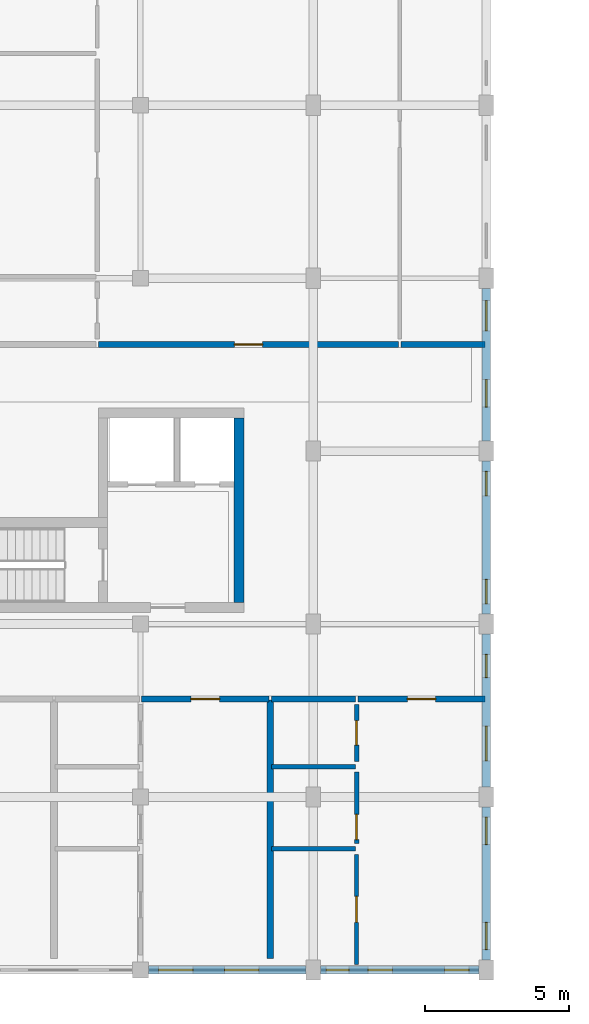
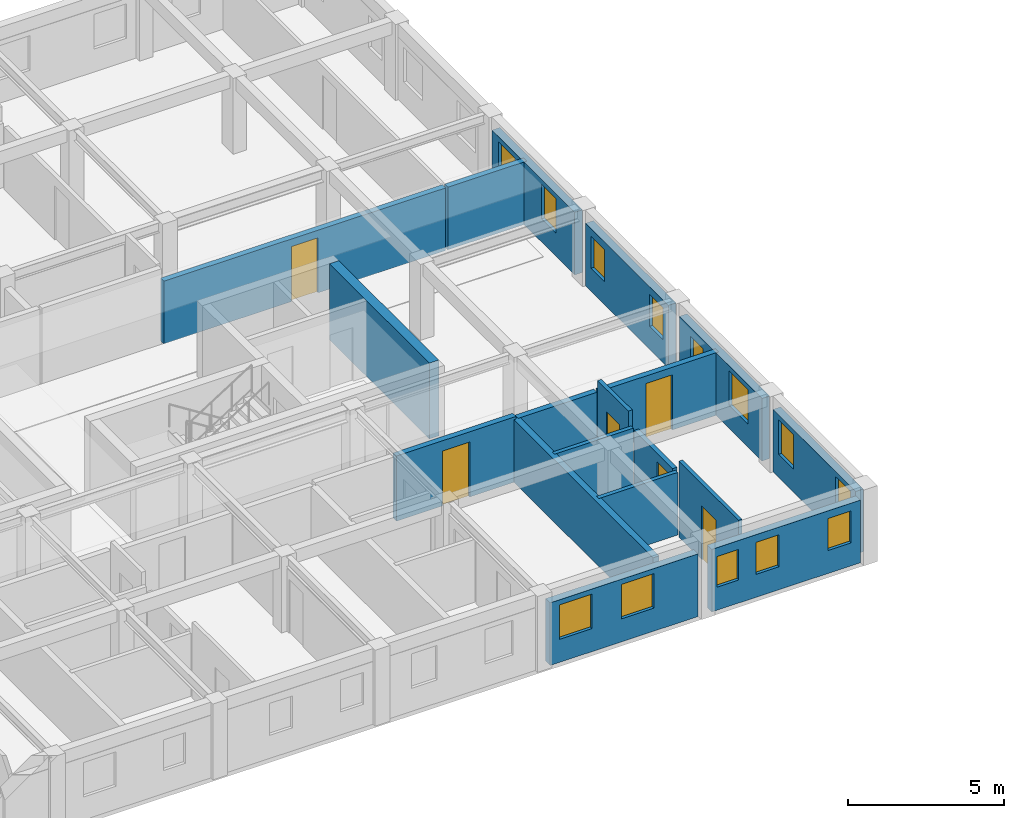
# One storey, part 76 of 101: 18 walls, 13 windows, 6 doors, 19 openings.
"""IFC4 building model written with IfcOpenShell, lengths in metres."""

from ifc_helpers import new_model, si_unit, direction, frame, frame_2d, origin, place, context, subcontext, project, spatial, rectangle, extrude, material, layer, layer_set, type_object, element, fill, save


model = new_model("IFC4")

# Units and contexts
model_context = context("Model", 3, precision=1e-05, world=origin(), true_north=direction((0.0, 1.0)))
body_context = subcontext(model_context, "Body", "Model", "MODEL_VIEW")
ifc_project = project(units=[si_unit("LENGTHUNIT", "METRE"), si_unit("AREAUNIT", "SQUARE_METRE"), si_unit("VOLUMEUNIT", "CUBIC_METRE"), si_unit("PLANEANGLEUNIT", "RADIAN"), si_unit("MASSUNIT", "GRAM", prefix="KILO"), si_unit("POWERUNIT", "WATT"), si_unit("THERMODYNAMICTEMPERATUREUNIT", "KELVIN")], contexts=[model_context])

# Site, building, storey
site_placement = place(None, origin())
site = spatial("IfcSite", under=ifc_project, at=site_placement, CompositionType="ELEMENT")
building_placement = place(site_placement, origin())
building = spatial("IfcBuilding", under=site, at=building_placement, Name="Ruvembo Vaulted Housing Court", CompositionType="ELEMENT")
storey_placement = place(building_placement, frame((0.0, 0.0, 17.300048828125)))
storey = spatial("IfcBuildingStorey", under=building, at=storey_placement, Name="L05", CompositionType="ELEMENT", Elevation=17.300048828125)

# Wall
ifc_material_1 = material(Name="Concrete C35/45", Category="concrete")
ifc_layer_1 = layer(ifc_material_1, 0.35009765625, Name="Concrete C35/45")
ifc_layer_set_1 = layer_set([ifc_layer_1], Name="Concrete C35/45")
wall_type_1 = type_object("IfcWallType", Name="WL-CORE-350", PredefinedType="SHEAR", material=ifc_layer_set_1)
wall_1_placement = place(storey_placement, frame((129.425048828125, 12.75, 0.0), z_axis=(0.0, 0.0, 1.0), x_axis=(0.0, 1.0, 0.0)))
element("IfcWall", 1, at=wall_1_placement, inside=storey, type_object=wall_type_1, Name="Core C2 L05 East Shear Wall", PredefinedType="SHEAR", context=body_context, shape_type="SweptSolid", body=[
    extrude(rectangle(XDim=6.39990234375, YDim=0.35009765625, at=frame_2d((3.199951171875, 0.0))), origin(), (0.0, 0.0, 1.0), 2.96484375),
])

# Wall, opening, door
ifc_material_2 = material(Name="Concrete Blockwork 210", Category="masonry")
ifc_layer_2 = layer(ifc_material_2, 0.2099609375, Name="Concrete Blockwork 210")
ifc_layer_set_2 = layer_set([ifc_layer_2], Name="Concrete Blockwork 210")
wall_type_2 = type_object("IfcWallType", Name="WL-CORR-210", PredefinedType="SOLIDWALL", material=ifc_layer_set_2)
wall_2_placement = place(storey_placement, frame((126.0400390625, 9.39990234375, 0.0), z_axis=(0.0, 0.0, 1.0), x_axis=(1.0, 0.0, 0.0)))
wall_2 = element("IfcWall", 2, at=wall_2_placement, inside=storey, type_object=wall_type_2, Name="L05 Flat C-L05-S3 Entrance WL-INT-L05-01504", PredefinedType="SOLIDWALL", context=body_context, shape_type="SweptSolid", body=[
    extrude(rectangle(XDim=4.419921875, YDim=0.2099609375, at=frame_2d((2.2099609375, 0.0))), origin(), (0.0, 0.0, 1.0), 2.5478515625),
])
opening_1_placement = place(wall_2_placement, frame((1.7099609375, 0.0, 0.0)))
opening_1 = element("IfcOpeningElement", 3, at=opening_1_placement, cuts=wall_2, Name="Opening FD1", PredefinedType="OPENING", context=body_context, shape_type="SweptSolid", body=[
    extrude(rectangle(XDim=1.0, YDim=2.14990234375, at=frame_2d((0.5, 1.074951171875))), frame((0.0, 0.114990234375, 0.0), z_axis=(0.0, -1.0, 0.0), x_axis=(1.0, 0.0, 0.0)), (0.0, 0.0, 1.0), 0.22998046875),
])
ifc_material_3 = material(Name="FSC Hardwood and Engineered Timber", Category="wood")
door_type_1 = type_object("IfcDoorType", Name="DR-FLAT-1000x2150", OperationType="NOTDEFINED", PredefinedType="DOOR", material=ifc_material_3)
door_1_placement = place(opening_1_placement, origin())
door_1 = element("IfcDoor", 4, at=door_1_placement, inside=storey, type_object=door_type_1, Name="L05 Flat C-L05-S3 Entrance Door DR-INT-L05-00843", OperationType="SINGLE_SWING_LEFT", OverallHeight=2.14990234375, OverallWidth=1.0, PredefinedType="DOOR", context=body_context, shape_type="SweptSolid", body=[
    extrude(rectangle(XDim=1.0, YDim=2.14990234375, at=frame_2d((0.5, 1.074951171875))), frame((0.0, 0.02490234375, 0.0), z_axis=(0.0, -1.0, 0.0), x_axis=(1.0, 0.0, 0.0)), (0.0, 0.0, 1.0), 0.050048828125),
])
fill(opening_1, door_1)

# Wall
wall_3_placement = place(storey_placement, frame((130.5400390625, 9.39990234375, 0.0), z_axis=(0.0, 0.0, 1.0), x_axis=(1.0, 0.0, 0.0)))
element("IfcWall", 5, at=wall_3_placement, inside=storey, type_object=wall_type_2, Name="L05 Flat C-L05-S4 Corridor Wall WL-INT-L05-01510", PredefinedType="SOLIDWALL", context=body_context, shape_type="SweptSolid", body=[
    extrude(rectangle(XDim=2.919921875, YDim=0.2099609375, at=frame_2d((1.4599609375, 0.0))), origin(), (0.0, 0.0, 1.0), 2.447021484375),
])

# Wall, opening, door
wall_4_placement = place(storey_placement, frame((133.5400390625, 9.39990234375, 0.0), z_axis=(0.0, 0.0, 1.0), x_axis=(1.0, 0.0, 0.0)))
wall_4 = element("IfcWall", 6, at=wall_4_placement, inside=storey, type_object=wall_type_2, Name="L05 Flat C-L05-S4 Entrance WL-INT-L05-01511", PredefinedType="SOLIDWALL", context=body_context, shape_type="SweptSolid", body=[
    extrude(rectangle(XDim=4.419921875, YDim=0.2099609375, at=frame_2d((2.2099609375, 0.0))), origin(), (0.0, 0.0, 1.0), 2.447021484375),
])
opening_2_placement = place(wall_4_placement, frame((1.719970703125, 0.0, 0.0)))
opening_2 = element("IfcOpeningElement", 7, at=opening_2_placement, cuts=wall_4, Name="Opening FD2", PredefinedType="OPENING", context=body_context, shape_type="SweptSolid", body=[
    extrude(rectangle(XDim=0.97998046875, YDim=2.14990234375, at=frame_2d((0.489990234375, 1.074951171875))), frame((0.0, 0.114990234375, 0.0), z_axis=(0.0, -1.0, 0.0), x_axis=(1.0, 0.0, 0.0)), (0.0, 0.0, 1.0), 0.22998046875),
])
door_type_2 = type_object("IfcDoorType", Name="DR-FLAT-0980x2150", OperationType="NOTDEFINED", PredefinedType="DOOR", material=ifc_material_3)
door_2_placement = place(opening_2_placement, origin())
door_2 = element("IfcDoor", 8, at=door_2_placement, inside=storey, type_object=door_type_2, Name="L05 Flat C-L05-S4 Entrance Door DR-INT-L05-00847", OperationType="SINGLE_SWING_LEFT", OverallHeight=2.14990234375, OverallWidth=0.97998046875, PredefinedType="DOOR", context=body_context, shape_type="SweptSolid", body=[
    extrude(rectangle(XDim=0.97998046875, YDim=2.14990234375, at=frame_2d((0.489990234375, 1.074951171875))), frame((0.0, 0.02490234375, 0.0), z_axis=(0.0, -1.0, 0.0), x_axis=(1.0, 0.0, 0.0)), (0.0, 0.0, 1.0), 0.050048828125),
])
fill(opening_2, door_2)

wall_5_placement = place(storey_placement, frame((124.5400390625, 21.699951171875, 0.0), z_axis=(0.0, 0.0, 1.0), x_axis=(1.0, 0.0, 0.0)))
wall_5 = element("IfcWall", 9, at=wall_5_placement, inside=storey, type_object=wall_type_2, Name="L05 Flat C-L05-N2 Entrance WL-INT-L05-01528", PredefinedType="SOLIDWALL", context=body_context, shape_type="SweptSolid", body=[
    extrude(rectangle(XDim=10.419921875, YDim=0.2099609375, at=frame_2d((5.2099609375, 0.0))), origin(), (0.0, 0.0, 1.0), 2.447021484375),
])
opening_3_placement = place(wall_5_placement, frame((4.719970703125, 0.0, 0.0)))
opening_3 = element("IfcOpeningElement", 10, at=opening_3_placement, cuts=wall_5, Name="Opening FD2", PredefinedType="OPENING", context=body_context, shape_type="SweptSolid", body=[
    extrude(rectangle(XDim=0.97998046875, YDim=2.14990234375, at=frame_2d((0.489990234375, 1.074951171875))), frame((0.0, 0.114990234375, 0.0), z_axis=(0.0, -1.0, 0.0), x_axis=(1.0, 0.0, 0.0)), (0.0, 0.0, 1.0), 0.22998046875),
])
door_3_placement = place(opening_3_placement, origin())
door_3 = element("IfcDoor", 11, at=door_3_placement, inside=storey, type_object=door_type_2, Name="L05 Flat C-L05-N2 Entrance Door DR-INT-L05-00856", OperationType="SINGLE_SWING_RIGHT", OverallHeight=2.14990234375, OverallWidth=0.97998046875, PredefinedType="DOOR", context=body_context, shape_type="SweptSolid", body=[
    extrude(rectangle(XDim=0.97998046875, YDim=2.14990234375, at=frame_2d((0.489990234375, 1.074951171875))), frame((0.0, 0.02490234375, 0.0), z_axis=(0.0, -1.0, 0.0), x_axis=(1.0, 0.0, 0.0)), (0.0, 0.0, 1.0), 0.050048828125),
])
fill(opening_3, door_3)

# Walls
wall_6_placement = place(storey_placement, frame((135.0400390625, 21.699951171875, 0.0), z_axis=(0.0, 0.0, 1.0), x_axis=(1.0, 0.0, 0.0)))
element("IfcWall", 12, at=wall_6_placement, inside=storey, type_object=wall_type_2, Name="L05 Flat C-L05-N2 Corridor Wall 2 WL-INT-L05-01534", PredefinedType="SOLIDWALL", context=body_context, shape_type="SweptSolid", body=[
    extrude(rectangle(XDim=2.919921875, YDim=0.2099609375, at=frame_2d((1.4599609375, 0.0))), origin(), (0.0, 0.0, 1.0), 2.447021484375),
])
ifc_material_4 = material(Name="Acoustic Masonry Demising 230", Category="masonry")
ifc_layer_3 = layer(ifc_material_4, 0.22998046875, Name="Acoustic Masonry Demising 230")
ifc_layer_set_3 = layer_set([ifc_layer_3], Name="Acoustic Masonry Demising 230")
wall_type_3 = type_object("IfcWallType", Name="WL-DEM-230", PredefinedType="SOLIDWALL", material=ifc_layer_set_3)
wall_7_placement = place(storey_placement, frame((130.5, 0.389892578125, 0.0), z_axis=(0.0, 0.0, 1.0), x_axis=(0.0, 1.0, 0.0)))
element("IfcWall", 13, at=wall_7_placement, inside=storey, type_object=wall_type_3, Name="L05 Demising C-L05-S3 WL-INT-L05-01502", PredefinedType="SOLIDWALL", context=body_context, shape_type="SweptSolid", body=[
    extrude(rectangle(XDim=8.97021484375, YDim=0.22998046875, at=frame_2d((4.485107421875, 0.0))), origin(), (0.0, 0.0, 1.0), 2.447021484375),
])

# Wall, openings, windows
ifc_material_5 = material(Name="Rendered Masonry 285", Category="masonry")
ifc_layer_4 = layer(ifc_material_5, 0.284912109375, Name="Rendered Masonry 285")
ifc_layer_set_4 = layer_set([ifc_layer_4], Name="Rendered Masonry 285")
wall_type_4 = type_object("IfcWallType", Name="WL-EXT-285", PredefinedType="STANDARD", material=ifc_layer_set_4)
wall_8_placement = place(storey_placement, frame((126.27490234375, 0.0, 0.0), z_axis=(0.0, 0.0, 1.0), x_axis=(1.0, 0.0, 0.0)))
wall_8 = element("IfcWall", 14, at=wall_8_placement, inside=storey, type_object=wall_type_4, Name="Block C L05 Exterior Wall STREET #5", PredefinedType="STANDARD", context=body_context, shape_type="SweptSolid", body=[
    extrude(rectangle(XDim=5.47509765625, YDim=0.284912109375, at=frame_2d((2.737548828125, 0.0))), origin(), (0.0, 0.0, 1.0), 2.447021484375),
])
opening_4_placement = place(wall_8_placement, frame((0.35009765625, 0.0, 0.89990234375)))
opening_4 = element("IfcOpeningElement", 15, at=opening_4_placement, cuts=wall_8, Name="Opening W12", PredefinedType="OPENING", context=body_context, shape_type="SweptSolid", body=[
    extrude(rectangle(XDim=1.199951171875, YDim=1.35009765625, at=frame_2d((0.60009765625, 0.675048828125))), frame((0.0, 0.15234375, 0.0), z_axis=(0.0, -1.0, 0.0), x_axis=(1.0, 0.0, 0.0)), (0.0, 0.0, 1.0), 0.304931640625),
])
opening_5_placement = place(wall_8_placement, frame((2.635009765625, 0.0, 0.89990234375)))
opening_5 = element("IfcOpeningElement", 16, at=opening_5_placement, cuts=wall_8, Name="Opening W12", PredefinedType="OPENING", context=body_context, shape_type="SweptSolid", body=[
    extrude(rectangle(XDim=1.199951171875, YDim=1.35009765625, at=frame_2d((0.60009765625, 0.675048828125))), frame((0.0, 0.15234375, 0.0), z_axis=(0.0, -1.0, 0.0), x_axis=(1.0, 0.0, 0.0)), (0.0, 0.0, 1.0), 0.304931640625),
])
ifc_material_6 = material(Name="Double Solar-Control Glazing in Aluminium Frame", Category="aluminium")
window_type_1 = type_object("IfcWindowType", Name="WIN-1200x1350", PartitioningType="SINGLE_PANEL", PredefinedType="WINDOW", material=ifc_material_6)
window_1_placement = place(opening_4_placement, origin())
window_1 = element("IfcWindow", 17, at=window_1_placement, inside=storey, type_object=window_type_1, Name="Block C L05 Window #1289", OverallHeight=1.35009765625, OverallWidth=1.199951171875, PartitioningType="SINGLE_PANEL", PredefinedType="WINDOW", context=body_context, shape_type="SweptSolid", body=[
    extrude(rectangle(XDim=1.199951171875, YDim=1.35009765625, at=frame_2d((0.60009765625, 0.675048828125))), frame((0.0, 0.030029296875, 0.0), z_axis=(0.0, -1.0, 0.0), x_axis=(1.0, 0.0, 0.0)), (0.0, 0.0, 1.0), 0.06005859375),
])
fill(opening_4, window_1)
window_2_placement = place(opening_5_placement, origin())
window_2 = element("IfcWindow", 18, at=window_2_placement, inside=storey, type_object=window_type_1, Name="Block C L05 Window #1290", OverallHeight=1.35009765625, OverallWidth=1.199951171875, PartitioningType="SINGLE_PANEL", PredefinedType="WINDOW", context=body_context, shape_type="SweptSolid", body=[
    extrude(rectangle(XDim=1.199951171875, YDim=1.35009765625, at=frame_2d((0.60009765625, 0.675048828125))), frame((0.0, 0.030029296875, 0.0), z_axis=(0.0, -1.0, 0.0), x_axis=(1.0, 0.0, 0.0)), (0.0, 0.0, 1.0), 0.06005859375),
])
fill(opening_5, window_2)

wall_9_placement = place(storey_placement, frame((132.25, 0.0, 0.0), z_axis=(0.0, 0.0, 1.0), x_axis=(1.0, 0.0, 0.0)))
wall_9 = element("IfcWall", 19, at=wall_9_placement, inside=storey, type_object=wall_type_4, Name="Block C L05 Exterior Wall STREET #6", PredefinedType="STANDARD", context=body_context, shape_type="SweptSolid", body=[
    extrude(rectangle(XDim=5.5, YDim=0.284912109375, at=frame_2d((2.75, 0.0))), origin(), (0.0, 0.0, 1.0), 2.447021484375),
])
opening_6_placement = place(wall_9_placement, frame((1.639892578125, 0.0, 0.89990234375)))
opening_6 = element("IfcOpeningElement", 20, at=opening_6_placement, cuts=wall_9, Name="Opening W03", PredefinedType="OPENING", context=body_context, shape_type="SweptSolid", body=[
    extrude(rectangle(XDim=0.85009765625, YDim=1.25, at=frame_2d((0.425048828125, 0.625))), frame((0.0, 0.15234375, 0.0), z_axis=(0.0, -1.0, 0.0), x_axis=(1.0, 0.0, 0.0)), (0.0, 0.0, 1.0), 0.304931640625),
])
opening_7_placement = place(wall_9_placement, frame((4.300048828125, 0.0, 0.89990234375)))
opening_7 = element("IfcOpeningElement", 21, at=opening_7_placement, cuts=wall_9, Name="Opening W03", PredefinedType="OPENING", context=body_context, shape_type="SweptSolid", body=[
    extrude(rectangle(XDim=0.85009765625, YDim=1.25, at=frame_2d((0.425048828125, 0.625))), frame((0.0, 0.15234375, 0.0), z_axis=(0.0, -1.0, 0.0), x_axis=(1.0, 0.0, 0.0)), (0.0, 0.0, 1.0), 0.304931640625),
])
opening_8_placement = place(wall_9_placement, frame((0.193603515625, 0.0, 0.89990234375)))
opening_8 = element("IfcOpeningElement", 22, at=opening_8_placement, cuts=wall_9, Name="Opening W02", PredefinedType="OPENING", context=body_context, shape_type="SweptSolid", body=[
    extrude(rectangle(XDim=0.800048828125, YDim=1.199951171875, at=frame_2d((0.39990234375, 0.60009765625))), frame((0.0, 0.15234375, 0.0), z_axis=(0.0, -1.0, 0.0), x_axis=(1.0, 0.0, 0.0)), (0.0, 0.0, 1.0), 0.304931640625),
])
window_type_2 = type_object("IfcWindowType", Name="WIN-0800x1200", PartitioningType="SINGLE_PANEL", PredefinedType="WINDOW", material=ifc_material_6)
window_3_placement = place(opening_8_placement, origin())
window_3 = element("IfcWindow", 23, at=window_3_placement, inside=storey, type_object=window_type_2, Name="Block C L05 Window #2079", OverallHeight=1.199951171875, OverallWidth=0.800048828125, PartitioningType="SINGLE_PANEL", PredefinedType="WINDOW", context=body_context, shape_type="SweptSolid", body=[
    extrude(rectangle(XDim=0.800048828125, YDim=1.199951171875, at=frame_2d((0.39990234375, 0.60009765625))), frame((0.0, 0.030029296875, 0.0), z_axis=(0.0, -1.0, 0.0), x_axis=(1.0, 0.0, 0.0)), (0.0, 0.0, 1.0), 0.06005859375),
])
fill(opening_8, window_3)
window_type_3 = type_object("IfcWindowType", Name="WIN-0850x1250", PartitioningType="SINGLE_PANEL", PredefinedType="WINDOW", material=ifc_material_6)
window_4_placement = place(opening_6_placement, origin())
window_4 = element("IfcWindow", 24, at=window_4_placement, inside=storey, type_object=window_type_3, Name="Block C L05 Window #1291", OverallHeight=1.25, OverallWidth=0.85009765625, PartitioningType="SINGLE_PANEL", PredefinedType="WINDOW", context=body_context, shape_type="SweptSolid", body=[
    extrude(rectangle(XDim=0.85009765625, YDim=1.25, at=frame_2d((0.425048828125, 0.625))), frame((0.0, 0.030029296875, 0.0), z_axis=(0.0, -1.0, 0.0), x_axis=(1.0, 0.0, 0.0)), (0.0, 0.0, 1.0), 0.06005859375),
])
fill(opening_6, window_4)
window_5_placement = place(opening_7_placement, origin())
window_5 = element("IfcWindow", 25, at=window_5_placement, inside=storey, type_object=window_type_3, Name="Block C L05 Window #1292", OverallHeight=1.25, OverallWidth=0.85009765625, PartitioningType="SINGLE_PANEL", PredefinedType="WINDOW", context=body_context, shape_type="SweptSolid", body=[
    extrude(rectangle(XDim=0.85009765625, YDim=1.25, at=frame_2d((0.425048828125, 0.625))), frame((0.0, 0.030029296875, 0.0), z_axis=(0.0, -1.0, 0.0), x_axis=(1.0, 0.0, 0.0)), (0.0, 0.0, 1.0), 0.06005859375),
])
fill(opening_7, window_5)

wall_10_placement = place(storey_placement, frame((138.0, 0.35009765625, 0.0), z_axis=(0.0, 0.0, 1.0), x_axis=(0.0, 1.0, 0.0)))
wall_10 = element("IfcWall", 26, at=wall_10_placement, inside=storey, type_object=wall_type_4, Name="Block C L05 Exterior Wall EAST #1", PredefinedType="STANDARD", context=body_context, shape_type="SweptSolid", body=[
    extrude(rectangle(XDim=5.2998046875, YDim=0.284912109375, at=frame_2d((2.64990234375, 0.0))), origin(), (0.0, 0.0, 1.0), 2.447021484375),
])
opening_9_placement = place(wall_10_placement, frame((0.35009765625, 0.0, 0.89990234375)))
opening_9 = element("IfcOpeningElement", 27, at=opening_9_placement, cuts=wall_10, Name="Opening W07", PredefinedType="OPENING", context=body_context, shape_type="SweptSolid", body=[
    extrude(rectangle(XDim=0.949951171875, YDim=1.35009765625, at=frame_2d((0.47509765625, 0.675048828125))), frame((0.0, 0.15234375, 0.0), z_axis=(0.0, -1.0, 0.0), x_axis=(1.0, 0.0, 0.0)), (0.0, 0.0, 1.0), 0.304931640625),
])
opening_10_placement = place(wall_10_placement, frame((4.0, 0.0, 0.89990234375)))
opening_10 = element("IfcOpeningElement", 28, at=opening_10_placement, cuts=wall_10, Name="Opening W07", PredefinedType="OPENING", context=body_context, shape_type="SweptSolid", body=[
    extrude(rectangle(XDim=0.949951171875, YDim=1.35009765625, at=frame_2d((0.47509765625, 0.675048828125))), frame((0.0, 0.15234375, 0.0), z_axis=(0.0, -1.0, 0.0), x_axis=(1.0, 0.0, 0.0)), (0.0, 0.0, 1.0), 0.304931640625),
])
window_type_4 = type_object("IfcWindowType", Name="WIN-0950x1350", PartitioningType="SINGLE_PANEL", PredefinedType="WINDOW", material=ifc_material_6)
window_6_placement = place(opening_9_placement, origin())
window_6 = element("IfcWindow", 29, at=window_6_placement, inside=storey, type_object=window_type_4, Name="Block C L05 Window #1293", OverallHeight=1.35009765625, OverallWidth=0.949951171875, PartitioningType="SINGLE_PANEL", PredefinedType="WINDOW", context=body_context, shape_type="SweptSolid", body=[
    extrude(rectangle(XDim=0.949951171875, YDim=1.35009765625, at=frame_2d((0.47509765625, 0.675048828125))), frame((0.0, 0.030029296875, 0.0), z_axis=(0.0, -1.0, 0.0), x_axis=(1.0, 0.0, 0.0)), (0.0, 0.0, 1.0), 0.06005859375),
])
fill(opening_9, window_6)
window_7_placement = place(opening_10_placement, origin())
window_7 = element("IfcWindow", 30, at=window_7_placement, inside=storey, type_object=window_type_4, Name="Block C L05 Window #1294", OverallHeight=1.35009765625, OverallWidth=0.949951171875, PartitioningType="SINGLE_PANEL", PredefinedType="WINDOW", context=body_context, shape_type="SweptSolid", body=[
    extrude(rectangle(XDim=0.949951171875, YDim=1.35009765625, at=frame_2d((0.47509765625, 0.675048828125))), frame((0.0, 0.030029296875, 0.0), z_axis=(0.0, -1.0, 0.0), x_axis=(1.0, 0.0, 0.0)), (0.0, 0.0, 1.0), 0.06005859375),
])
fill(opening_10, window_7)

wall_11_placement = place(storey_placement, frame((138.0, 6.35009765625, 0.0), z_axis=(0.0, 0.0, 1.0), x_axis=(0.0, 1.0, 0.0)))
wall_11 = element("IfcWall", 31, at=wall_11_placement, inside=storey, type_object=wall_type_4, Name="Block C L05 Exterior Wall EAST #2", PredefinedType="STANDARD", context=body_context, shape_type="SweptSolid", body=[
    extrude(rectangle(XDim=5.2998046875, YDim=0.284912109375, at=frame_2d((2.64990234375, 0.0))), origin(), (0.0, 0.0, 1.0), 2.447021484375),
])
opening_11_placement = place(wall_11_placement, frame((0.905029296875, 0.0, 0.89990234375)))
opening_11 = element("IfcOpeningElement", 32, at=opening_11_placement, cuts=wall_11, Name="Opening W12", PredefinedType="OPENING", context=body_context, shape_type="SweptSolid", body=[
    extrude(rectangle(XDim=1.199951171875, YDim=1.35009765625, at=frame_2d((0.60009765625, 0.675048828125))), frame((0.0, 0.15234375, 0.0), z_axis=(0.0, -1.0, 0.0), x_axis=(1.0, 0.0, 0.0)), (0.0, 0.0, 1.0), 0.304931640625),
])
opening_12_placement = place(wall_11_placement, frame((3.794921875, 0.0, 0.89990234375)))
opening_12 = element("IfcOpeningElement", 33, at=opening_12_placement, cuts=wall_11, Name="Opening W02", PredefinedType="OPENING", context=body_context, shape_type="SweptSolid", body=[
    extrude(rectangle(XDim=0.800048828125, YDim=1.199951171875, at=frame_2d((0.39990234375, 0.60009765625))), frame((0.0, 0.15234375, 0.0), z_axis=(0.0, -1.0, 0.0), x_axis=(1.0, 0.0, 0.0)), (0.0, 0.0, 1.0), 0.304931640625),
])
window_8_placement = place(opening_12_placement, origin())
window_8 = element("IfcWindow", 34, at=window_8_placement, inside=storey, type_object=window_type_2, Name="Block C L05 Window #1296", OverallHeight=1.199951171875, OverallWidth=0.800048828125, PartitioningType="SINGLE_PANEL", PredefinedType="WINDOW", context=body_context, shape_type="SweptSolid", body=[
    extrude(rectangle(XDim=0.800048828125, YDim=1.199951171875, at=frame_2d((0.39990234375, 0.60009765625))), frame((0.0, 0.030029296875, 0.0), z_axis=(0.0, -1.0, 0.0), x_axis=(1.0, 0.0, 0.0)), (0.0, 0.0, 1.0), 0.06005859375),
])
fill(opening_12, window_8)
window_9_placement = place(opening_11_placement, origin())
window_9 = element("IfcWindow", 35, at=window_9_placement, inside=storey, type_object=window_type_1, Name="Block C L05 Window #1295", OverallHeight=1.35009765625, OverallWidth=1.199951171875, PartitioningType="SINGLE_PANEL", PredefinedType="WINDOW", context=body_context, shape_type="SweptSolid", body=[
    extrude(rectangle(XDim=1.199951171875, YDim=1.35009765625, at=frame_2d((0.60009765625, 0.675048828125))), frame((0.0, 0.030029296875, 0.0), z_axis=(0.0, -1.0, 0.0), x_axis=(1.0, 0.0, 0.0)), (0.0, 0.0, 1.0), 0.06005859375),
])
fill(opening_11, window_9)

wall_12_placement = place(storey_placement, frame((138.0, 12.35009765625, 0.0), z_axis=(0.0, 0.0, 1.0), x_axis=(0.0, 1.0, 0.0)))
wall_12 = element("IfcWall", 36, at=wall_12_placement, inside=storey, type_object=wall_type_4, Name="Block C L05 Exterior Wall EAST #3", PredefinedType="STANDARD", context=body_context, shape_type="SweptSolid", body=[
    extrude(rectangle(XDim=5.2998046875, YDim=0.284912109375, at=frame_2d((2.64990234375, 0.0))), origin(), (0.0, 0.0, 1.0), 2.447021484375),
])
opening_13_placement = place(wall_12_placement, frame((0.35009765625, 0.0, 0.89990234375)))
opening_13 = element("IfcOpeningElement", 37, at=opening_13_placement, cuts=wall_12, Name="Opening W03", PredefinedType="OPENING", context=body_context, shape_type="SweptSolid", body=[
    extrude(rectangle(XDim=0.85009765625, YDim=1.25, at=frame_2d((0.425048828125, 0.625))), frame((0.0, 0.15234375, 0.0), z_axis=(0.0, -1.0, 0.0), x_axis=(1.0, 0.0, 0.0)), (0.0, 0.0, 1.0), 0.304931640625),
])
opening_14_placement = place(wall_12_placement, frame((4.10009765625, 0.0, 0.89990234375)))
opening_14 = element("IfcOpeningElement", 38, at=opening_14_placement, cuts=wall_12, Name="Opening W03", PredefinedType="OPENING", context=body_context, shape_type="SweptSolid", body=[
    extrude(rectangle(XDim=0.85009765625, YDim=1.25, at=frame_2d((0.425048828125, 0.625))), frame((0.0, 0.15234375, 0.0), z_axis=(0.0, -1.0, 0.0), x_axis=(1.0, 0.0, 0.0)), (0.0, 0.0, 1.0), 0.304931640625),
])
window_10_placement = place(opening_13_placement, origin())
window_10 = element("IfcWindow", 39, at=window_10_placement, inside=storey, type_object=window_type_3, Name="Block C L05 Window #1297", OverallHeight=1.25, OverallWidth=0.85009765625, PartitioningType="SINGLE_PANEL", PredefinedType="WINDOW", context=body_context, shape_type="SweptSolid", body=[
    extrude(rectangle(XDim=0.85009765625, YDim=1.25, at=frame_2d((0.425048828125, 0.625))), frame((0.0, 0.030029296875, 0.0), z_axis=(0.0, -1.0, 0.0), x_axis=(1.0, 0.0, 0.0)), (0.0, 0.0, 1.0), 0.06005859375),
])
fill(opening_13, window_10)
window_11_placement = place(opening_14_placement, origin())
window_11 = element("IfcWindow", 40, at=window_11_placement, inside=storey, type_object=window_type_3, Name="Block C L05 Window #1298", OverallHeight=1.25, OverallWidth=0.85009765625, PartitioningType="SINGLE_PANEL", PredefinedType="WINDOW", context=body_context, shape_type="SweptSolid", body=[
    extrude(rectangle(XDim=0.85009765625, YDim=1.25, at=frame_2d((0.425048828125, 0.625))), frame((0.0, 0.030029296875, 0.0), z_axis=(0.0, -1.0, 0.0), x_axis=(1.0, 0.0, 0.0)), (0.0, 0.0, 1.0), 0.06005859375),
])
fill(opening_14, window_11)

wall_13_placement = place(storey_placement, frame((138.0, 18.35009765625, 0.0), z_axis=(0.0, 0.0, 1.0), x_axis=(0.0, 1.0, 0.0)))
wall_13 = element("IfcWall", 41, at=wall_13_placement, inside=storey, type_object=wall_type_4, Name="Block C L05 Exterior Wall EAST #4", PredefinedType="STANDARD", context=body_context, shape_type="SweptSolid", body=[
    extrude(rectangle(XDim=5.2998046875, YDim=0.284912109375, at=frame_2d((2.64990234375, 0.0))), origin(), (0.0, 0.0, 1.0), 2.447021484375),
])
opening_15_placement = place(wall_13_placement, frame((1.179931640625, 0.0, 0.89990234375)))
opening_15 = element("IfcOpeningElement", 42, at=opening_15_placement, cuts=wall_13, Name="Opening W07", PredefinedType="OPENING", context=body_context, shape_type="SweptSolid", body=[
    extrude(rectangle(XDim=0.949951171875, YDim=1.35009765625, at=frame_2d((0.47509765625, 0.675048828125))), frame((0.0, 0.15234375, 0.0), z_axis=(0.0, -1.0, 0.0), x_axis=(1.0, 0.0, 0.0)), (0.0, 0.0, 1.0), 0.304931640625),
])
opening_16_placement = place(wall_13_placement, frame((3.820068359375, 0.0, 0.89990234375)))
opening_16 = element("IfcOpeningElement", 43, at=opening_16_placement, cuts=wall_13, Name="Opening W09", PredefinedType="OPENING", context=body_context, shape_type="SweptSolid", body=[
    extrude(rectangle(XDim=1.050048828125, YDim=1.35009765625, at=frame_2d((0.52490234375, 0.675048828125))), frame((0.0, 0.15234375, 0.0), z_axis=(0.0, -1.0, 0.0), x_axis=(1.0, 0.0, 0.0)), (0.0, 0.0, 1.0), 0.304931640625),
])
window_12_placement = place(opening_15_placement, origin())
window_12 = element("IfcWindow", 44, at=window_12_placement, inside=storey, type_object=window_type_4, Name="Block C L05 Window #1299", OverallHeight=1.35009765625, OverallWidth=0.949951171875, PartitioningType="SINGLE_PANEL", PredefinedType="WINDOW", context=body_context, shape_type="SweptSolid", body=[
    extrude(rectangle(XDim=0.949951171875, YDim=1.35009765625, at=frame_2d((0.47509765625, 0.675048828125))), frame((0.0, 0.030029296875, 0.0), z_axis=(0.0, -1.0, 0.0), x_axis=(1.0, 0.0, 0.0)), (0.0, 0.0, 1.0), 0.06005859375),
])
fill(opening_15, window_12)
window_type_5 = type_object("IfcWindowType", Name="WIN-1050x1350", PartitioningType="SINGLE_PANEL", PredefinedType="WINDOW", material=ifc_material_6)
window_13_placement = place(opening_16_placement, origin())
window_13 = element("IfcWindow", 45, at=window_13_placement, inside=storey, type_object=window_type_5, Name="Block C L05 Window #1300", OverallHeight=1.35009765625, OverallWidth=1.050048828125, PartitioningType="SINGLE_PANEL", PredefinedType="WINDOW", context=body_context, shape_type="SweptSolid", body=[
    extrude(rectangle(XDim=1.050048828125, YDim=1.35009765625, at=frame_2d((0.52490234375, 0.675048828125))), frame((0.0, 0.030029296875, 0.0), z_axis=(0.0, -1.0, 0.0), x_axis=(1.0, 0.0, 0.0)), (0.0, 0.0, 1.0), 0.06005859375),
])
fill(opening_16, window_13)

# Wall, opening, door
ifc_material_7 = material(Name="Acoustic Stud Partition 135", Category="gypsum")
ifc_layer_5 = layer(ifc_material_7, 0.135009765625, Name="Acoustic Stud Partition 135")
ifc_layer_set_5 = layer_set([ifc_layer_5], Name="Acoustic Stud Partition 135")
wall_type_5 = type_object("IfcWallType", Name="WL-PART-135", PredefinedType="PARTITIONING", material=ifc_layer_set_5)
wall_14_placement = place(storey_placement, frame((133.5, 0.18994140625, 0.0), z_axis=(0.0, 0.0, 1.0), x_axis=(0.0, 1.0, 0.0)))
wall_14 = element("IfcWall", 46, at=wall_14_placement, inside=storey, type_object=wall_type_5, Name="L05 Flat C-L05-S4 Bedroom 1 WL-INT-L05-01512", PredefinedType="PARTITIONING", context=body_context, shape_type="SweptSolid", body=[
    extrude(rectangle(XDim=3.820068359375, YDim=0.135009765625, at=frame_2d((1.91015625, 0.0))), origin(), (0.0, 0.0, 1.0), 2.96484375),
])
opening_17_placement = place(wall_14_placement, frame((1.4599609375, 0.0, 0.0)))
opening_17 = element("IfcOpeningElement", 47, at=opening_17_placement, cuts=wall_14, Name="Opening ID1", PredefinedType="OPENING", context=body_context, shape_type="SweptSolid", body=[
    extrude(rectangle(XDim=0.89990234375, YDim=2.10009765625, at=frame_2d((0.449951171875, 1.050048828125))), frame((0.0, 0.077392578125, 0.0), z_axis=(0.0, -1.0, 0.0), x_axis=(1.0, 0.0, 0.0)), (0.0, 0.0, 1.0), 0.155029296875),
])
door_type_3 = type_object("IfcDoorType", Name="DR-ROOM-0900x2100", OperationType="NOTDEFINED", PredefinedType="DOOR", material=ifc_material_3)
door_4_placement = place(opening_17_placement, origin())
door_4 = element("IfcDoor", 48, at=door_4_placement, inside=storey, type_object=door_type_3, Name="L05 Flat C-L05-S4 Bedroom 1 Door DR-INT-L05-00848", OperationType="SINGLE_SWING_RIGHT", OverallHeight=2.10009765625, OverallWidth=0.89990234375, PredefinedType="DOOR", context=body_context, shape_type="SweptSolid", body=[
    extrude(rectangle(XDim=0.89990234375, YDim=2.10009765625, at=frame_2d((0.449951171875, 1.050048828125))), frame((0.0, 0.02490234375, 0.0), z_axis=(0.0, -1.0, 0.0), x_axis=(1.0, 0.0, 0.0)), (0.0, 0.0, 1.0), 0.050048828125),
])
fill(opening_17, door_4)

ifc_material_8 = material(Name="Moisture-Resistant Wet Partition 150", Category="gypsum")
ifc_layer_6 = layer(ifc_material_8, 0.14990234375, Name="Moisture-Resistant Wet Partition 150")
ifc_layer_set_6 = layer_set([ifc_layer_6], Name="Moisture-Resistant Wet Partition 150")
wall_type_6 = type_object("IfcWallType", Name="WL-PART-150", PredefinedType="PARTITIONING", material=ifc_layer_set_6)
wall_15_placement = place(storey_placement, frame((133.5, 7.239990234375, 0.0), z_axis=(0.0, 0.0, 1.0), x_axis=(0.0, 1.0, 0.0)))
wall_15 = element("IfcWall", 49, at=wall_15_placement, inside=storey, type_object=wall_type_6, Name="L05 Flat C-L05-S4 Bathroom WL-INT-L05-01514", PredefinedType="PARTITIONING", context=body_context, shape_type="SweptSolid", body=[
    extrude(rectangle(XDim=1.969970703125, YDim=0.14990234375, at=frame_2d((0.98486328125, 0.0))), origin(), (0.0, 0.0, 1.0), 2.96484375),
])
opening_18_placement = place(wall_15_placement, frame((0.56005859375, 0.0, 0.0)))
opening_18 = element("IfcOpeningElement", 50, at=opening_18_placement, cuts=wall_15, Name="Opening ID2", PredefinedType="OPENING", context=body_context, shape_type="SweptSolid", body=[
    extrude(rectangle(XDim=0.85009765625, YDim=2.10009765625, at=frame_2d((0.425048828125, 1.050048828125))), frame((0.0, 0.0849609375, 0.0), z_axis=(0.0, -1.0, 0.0), x_axis=(1.0, 0.0, 0.0)), (0.0, 0.0, 1.0), 0.169921875),
])
door_type_4 = type_object("IfcDoorType", Name="DR-WET-0850x2100", OperationType="NOTDEFINED", PredefinedType="DOOR", material=ifc_material_3)
door_5_placement = place(opening_18_placement, origin())
door_5 = element("IfcDoor", 51, at=door_5_placement, inside=storey, type_object=door_type_4, Name="L05 Flat C-L05-S4 Bathroom Door DR-INT-L05-00850", OperationType="SINGLE_SWING_RIGHT", OverallHeight=2.10009765625, OverallWidth=0.85009765625, PredefinedType="DOOR", context=body_context, shape_type="SweptSolid", body=[
    extrude(rectangle(XDim=0.85009765625, YDim=2.10009765625, at=frame_2d((0.425048828125, 1.050048828125))), frame((0.0, 0.02490234375, 0.0), z_axis=(0.0, -1.0, 0.0), x_axis=(1.0, 0.0, 0.0)), (0.0, 0.0, 1.0), 0.050048828125),
])
fill(opening_18, door_5)

# Walls
for number, where, z_axis, x_axis, name in (
    (52, (130.5400390625, 4.199951171875, 0.0), (0.0, 0.0, 1.0), (1.0, 0.0, 0.0), "L05 Flat C-L05-S4 Wet Wall 1 WL-INT-L05-01515"),
    (53, (130.5400390625, 7.050048828125, 0.0), (0.0, 0.0, 1.0), (1.0, 0.0, 0.0), "L05 Flat C-L05-S4 Wet Wall 2 WL-INT-L05-01516"),
):
    element("IfcWall", number, at=place(storey_placement, frame(where, z_axis=z_axis, x_axis=x_axis)), inside=storey, type_object=wall_type_6, Name=name, PredefinedType="PARTITIONING", context=body_context, shape_type="SweptSolid", body=[
        extrude(rectangle(XDim=2.919921875, YDim=0.14990234375, at=frame_2d((1.4599609375, 0.0))), origin(), (0.0, 0.0, 1.0), 2.447021484375),
    ])

# Wall, opening, door
ifc_material_9 = material(Name="Acoustic Service Chase Wall 160", Category="gypsum")
ifc_layer_7 = layer(ifc_material_9, 0.159912109375, Name="Acoustic Service Chase Wall 160")
ifc_layer_set_7 = layer_set([ifc_layer_7], Name="Acoustic Service Chase Wall 160")
wall_type_7 = type_object("IfcWallType", Name="WL-PLUMB-160", PredefinedType="PLUMBINGWALL", material=ifc_layer_set_7)
wall_16_placement = place(storey_placement, frame((133.5, 4.389892578125, 0.0), z_axis=(0.0, 0.0, 1.0), x_axis=(0.0, 1.0, 0.0)))
wall_16 = element("IfcWall", 54, at=wall_16_placement, inside=storey, type_object=wall_type_7, Name="L05 Flat C-L05-S4 Kitchen WL-INT-L05-01513", PredefinedType="PLUMBINGWALL", context=body_context, shape_type="SweptSolid", body=[
    extrude(rectangle(XDim=2.47021484375, YDim=0.159912109375, at=frame_2d((1.235107421875, 0.0))), origin(), (0.0, 0.0, 1.0), 2.447021484375),
])
opening_19_placement = place(wall_16_placement, frame((0.1298828125, 0.0, 0.0)))
opening_19 = element("IfcOpeningElement", 55, at=opening_19_placement, cuts=wall_16, Name="Opening ID3", PredefinedType="OPENING", context=body_context, shape_type="SweptSolid", body=[
    extrude(rectangle(XDim=0.8798828125, YDim=2.10009765625, at=frame_2d((0.43994140625, 1.050048828125))), frame((0.0, 0.08984375, 0.0), z_axis=(0.0, -1.0, 0.0), x_axis=(1.0, 0.0, 0.0)), (0.0, 0.0, 1.0), 0.179931640625),
])
door_type_5 = type_object("IfcDoorType", Name="DR-ROOM-0880x2100", OperationType="NOTDEFINED", PredefinedType="DOOR", material=ifc_material_3)
door_6_placement = place(opening_19_placement, origin())
door_6 = element("IfcDoor", 56, at=door_6_placement, inside=storey, type_object=door_type_5, Name="L05 Flat C-L05-S4 Kitchen Door DR-INT-L05-00849", OperationType="SINGLE_SWING_LEFT", OverallHeight=2.10009765625, OverallWidth=0.8798828125, PredefinedType="DOOR", context=body_context, shape_type="SweptSolid", body=[
    extrude(rectangle(XDim=0.8798828125, YDim=2.10009765625, at=frame_2d((0.43994140625, 1.050048828125))), frame((0.0, 0.02490234375, 0.0), z_axis=(0.0, -1.0, 0.0), x_axis=(1.0, 0.0, 0.0)), (0.0, 0.0, 1.0), 0.050048828125),
])
fill(opening_19, door_6)

save(model, "model.ifc")
